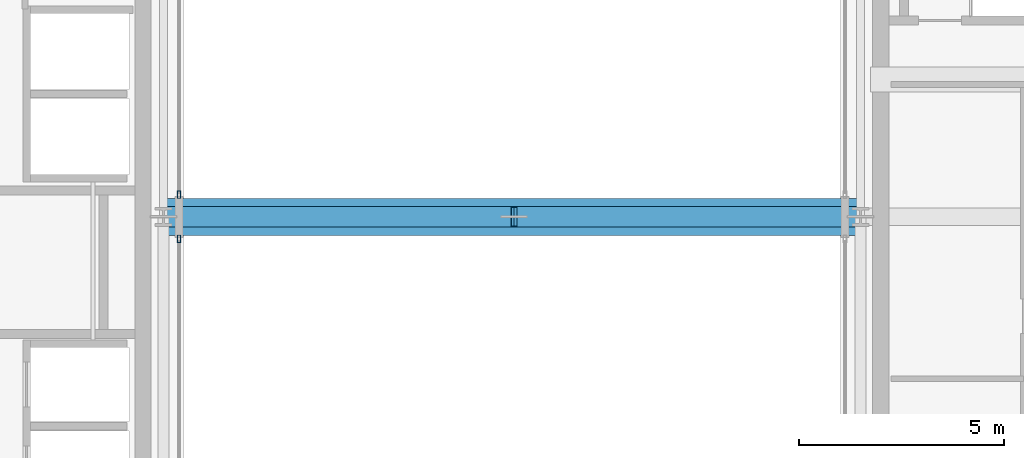
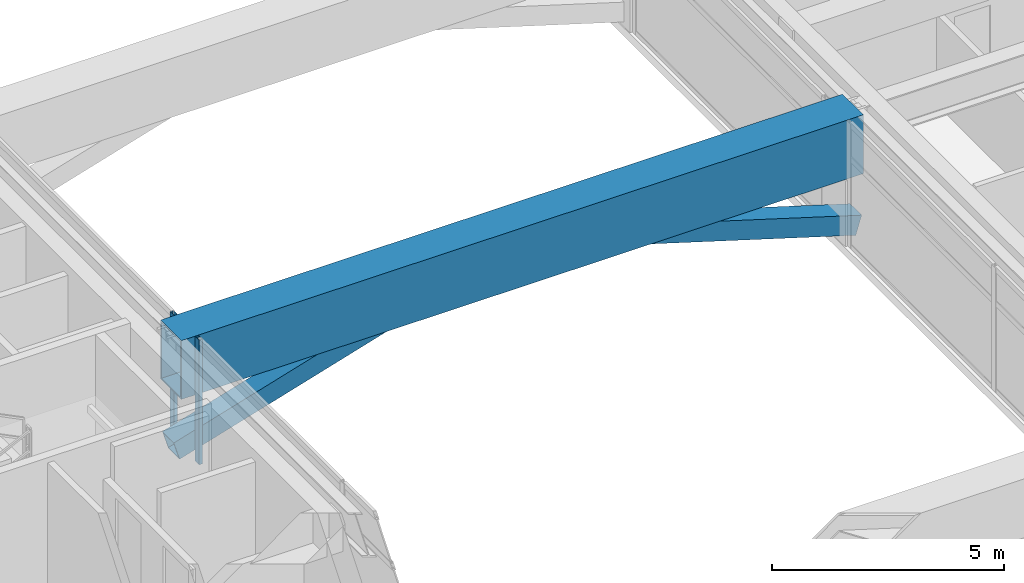
# One storey, part 8 of 28: 4 members, 1 beam, 2 elements without a shape of their own.
"""IFC4 building model written with IfcOpenShell, lengths in metres."""

import ifcopenshell
import ifcopenshell.guid

model = None  # the IFC model being written
_history = None  # IfcOwnerHistory: only IFC2X3 demands one
_inside = {}  # id of a spatial element -> (the spatial element, [elements in it])
_under = {}  # id of a project, library or spatial element -> (it, [spatial elements below it])
_declared = {}  # id of a project -> (the project, [libraries it declares])
_typed = {}  # id of a type object -> (the type object, [elements of that type])
_made_of = {}  # id of a material, layer set ... -> (it, [elements and type objects made of it])


def new_model(schema):
    """Start an empty IFC model of exactly this schema.

    Asked for "IFC4X3", IfcOpenShell would pick the latest addendum, in which some entities
    have other attributes; the version numbers below select the first issue.
    IFC2X3 requires an IfcOwnerHistory on every rooted entity: one is made here for all.
    """
    global model, _history
    if schema == "IFC4X3":
        model = ifcopenshell.file(schema_version=(4, 3, 0, 0))
    else:
        model = ifcopenshell.file(schema=schema)
    _inside.clear()
    _under.clear()
    _declared.clear()
    _typed.clear()
    _made_of.clear()
    _history = None
    if model.schema == "IFC2X3":
        org = make("IfcOrganization", Name="unknown")
        user = make(
            "IfcPersonAndOrganization",
            ThePerson=make("IfcPerson", FamilyName="unknown"),
            TheOrganization=org,
        )
        app = make(
            "IfcApplication",
            ApplicationDeveloper=org,
            Version="unknown",
            ApplicationFullName="unknown",
            ApplicationIdentifier="unknown",
        )
        _history = make(
            "IfcOwnerHistory",
            OwningUser=user,
            OwningApplication=app,
            ChangeAction="ADDED",
            CreationDate=0,
        )
    return model


def make(cls, **values):
    """One entity of the class cls with the attributes given. An attribute that is None is left unset."""
    return model.create_entity(
        cls, **{name: value for name, value in values.items() if value is not None}
    )


def rooted(cls, **values):
    """An entity with a GlobalId (a new one), such as an element, a storey or a relation."""
    return make(cls, GlobalId=ifcopenshell.guid.new(), OwnerHistory=_history, **values)


def si_unit(unit_type, name, prefix=None):
    """IfcSIUnit, for example si_unit("LENGTHUNIT", "METRE", prefix="MILLI")."""
    return make("IfcSIUnit", UnitType=unit_type, Prefix=prefix, Name=name)


def assignment(units):
    """IfcUnitAssignment: the units of a project."""
    return None if units is None else make("IfcUnitAssignment", Units=units)


def point(xyz):
    """IfcCartesianPoint."""
    return None if xyz is None else make("IfcCartesianPoint", Coordinates=xyz)


def direction(xyz):
    """IfcDirection."""
    return None if xyz is None else make("IfcDirection", DirectionRatios=xyz)


def frame(location, z_axis=None, x_axis=None):
    """IfcAxis2Placement3D, a coordinate frame: its origin and axes. An axis left out is left unset."""
    return make(
        "IfcAxis2Placement3D",
        Location=point(location),
        Axis=direction(z_axis),
        RefDirection=direction(x_axis),
    )


def frame_2d(location, x_axis=None):
    """IfcAxis2Placement2D, a coordinate frame in the plane: its origin and x axis."""
    return make(
        "IfcAxis2Placement2D", Location=point(location), RefDirection=direction(x_axis)
    )


def origin():
    """The frame at (0, 0, 0) with its axes left unset."""
    return frame((0.0, 0.0, 0.0))


def origin_2d():
    """The frame at (0, 0) in the plane with its x axis left unset."""
    return frame_2d((0.0, 0.0))


def place(relative_to, where):
    """IfcLocalPlacement: puts the frame where relative to a parent placement (None: the world)."""
    return make(
        "IfcLocalPlacement", PlacementRelTo=relative_to, RelativePlacement=where
    )


def context(
    kind, dimensions, precision=None, world=None, true_north=None, identifier=None
):
    """IfcGeometricRepresentationContext, for example the 3D "Model" context."""
    return make(
        "IfcGeometricRepresentationContext",
        ContextIdentifier=identifier,
        ContextType=kind,
        CoordinateSpaceDimension=dimensions,
        Precision=precision,
        WorldCoordinateSystem=world,
        TrueNorth=true_north,
    )


def subcontext(parent, identifier, kind, view, scale=None):
    """IfcGeometricRepresentationSubContext, for example "Body" below "Model"."""
    return make(
        "IfcGeometricRepresentationSubContext",
        ContextIdentifier=identifier,
        ContextType=kind,
        ParentContext=parent,
        TargetScale=scale,
        TargetView=view,
    )


def project(units=None, contexts=None):
    """IfcProject with its units and contexts."""
    return rooted(
        "IfcProject",
        Name="project",
        RepresentationContexts=contexts,
        UnitsInContext=assignment(units),
    )


def spatial(cls, under=None, at=None, **own):
    """A site, building, storey or space (cls), placed at a placement, below another one or the project."""
    s = rooted(cls, ObjectPlacement=at, **own)
    if under is not None:
        _under.setdefault(under.id(), (under, []))[1].append(s)
    return s


def profile(cls, at=None, kind="AREA", **sizes):
    """A parametric profile (cls). Its sizes go by their IFC names, for example OverallWidth=200.0."""
    return make(cls, ProfileType=kind, Position=at, **sizes)


def hollow_rectangle(**sizes):
    """IfcRectangleHollowProfileDef."""
    return profile("IfcRectangleHollowProfileDef", **sizes)


def extrude(swept, where, along, depth):
    """IfcExtrudedAreaSolid: the profile swept, set in the frame where, extruded along a direction by depth."""
    return make(
        "IfcExtrudedAreaSolid",
        SweptArea=swept,
        Position=where,
        ExtrudedDirection=direction(along),
        Depth=depth,
    )


def shape(context_of_items, identifier, shape_type, items):
    """IfcShapeRepresentation: the items that make up one representation, for example the "Body"."""
    return make(
        "IfcShapeRepresentation",
        ContextOfItems=context_of_items,
        RepresentationIdentifier=identifier,
        RepresentationType=shape_type,
        Items=items,
    )


def source(mapping_origin, context_of_items, identifier, shape_type, items):
    """IfcRepresentationMap: a shape defined once, which mapped items show again and again."""
    return make(
        "IfcRepresentationMap",
        MappingOrigin=mapping_origin,
        MappedRepresentation=shape(context_of_items, identifier, shape_type, items),
    )


def transform(
    local_origin,
    x_axis=None,
    y_axis=None,
    z_axis=None,
    scale=None,
    scale2=None,
    scale3=None,
    uniform=True,
):
    """IfcCartesianTransformationOperator3D, or its non-uniform kind. x_axis, y_axis, z_axis: its Axis1, 2, 3."""
    if uniform:
        return make(
            "IfcCartesianTransformationOperator3D",
            Axis1=direction(x_axis),
            Axis2=direction(y_axis),
            LocalOrigin=point(local_origin),
            Scale=scale,
            Axis3=direction(z_axis),
        )
    return make(
        "IfcCartesianTransformationOperator3DnonUniform",
        Axis1=direction(x_axis),
        Axis2=direction(y_axis),
        LocalOrigin=point(local_origin),
        Scale=scale,
        Axis3=direction(z_axis),
        Scale2=scale2,
        Scale3=scale3,
    )


def mapped(mapping_source, mapping_target):
    """IfcMappedItem: shows the shape of a source again, moved by a transform."""
    return make(
        "IfcMappedItem", MappingSource=mapping_source, MappingTarget=mapping_target
    )


def material(Name=None, Category=None):
    """IfcMaterial."""
    return make("IfcMaterial", Name=Name, Category=Category)


def layer(
    of_material, thickness, ventilated=None, Name=None, Category=None, Priority=None
):
    """IfcMaterialLayer: one layer of a wall or slab, of a material (None: an air gap)."""
    return make(
        "IfcMaterialLayer",
        Material=of_material,
        LayerThickness=thickness,
        IsVentilated=ventilated,
        Name=Name,
        Category=Category,
        Priority=Priority,
    )


def layer_set(layers, Name=None):
    """IfcMaterialLayerSet."""
    return make("IfcMaterialLayerSet", MaterialLayers=layers, LayerSetName=Name)


def material_profile(
    of_material, cross_section, Name=None, Category=None, Priority=None
):
    """IfcMaterialProfile: a cross section and its material."""
    return make(
        "IfcMaterialProfile",
        Name=Name,
        Material=of_material,
        Profile=cross_section,
        Priority=Priority,
        Category=Category,
    )


def profile_set(profiles, Name=None, composite=None):
    """IfcMaterialProfileSet."""
    return make(
        "IfcMaterialProfileSet",
        Name=Name,
        MaterialProfiles=profiles,
        CompositeProfile=composite,
    )


def made_of(thing, what):
    """Note that an element or type object is made of a material, layer set ...; save() writes the relation."""
    if what is not None:
        _made_of.setdefault(what.id(), (what, []))[1].append(thing)
    return thing


def type_object(cls, material=None, **own):
    """A type object (cls), such as IfcWallType, which elements share."""
    return made_of(rooted(cls, **own), material)


def element(
    cls,
    number,
    at=None,
    inside=None,
    cuts=None,
    type_object=None,
    material=None,
    context=None,
    identifier="Body",
    shape_type=None,
    held_by="IfcProductDefinitionShape",
    body=None,
    shapes=None,
    **own,
):
    """One element of the class cls, such as IfcWall. Its Tag is "e" and its number.

    at: its placement. inside: the storey or other place that contains it. cuts: it is an
    opening in that element (IfcRelVoidsElement). A single representation is given by context,
    identifier, shape_type and body (its items); several are given by shapes. held_by: the class
    of the entity that holds the representations. save() writes the other relations.
    """
    e = rooted(cls, Tag="e%d" % number, ObjectPlacement=at, **own)
    if body is not None:
        shapes = [shape(context, identifier, shape_type, body)]
    if shapes is not None:
        e.Representation = make(held_by, Representations=shapes)
    if inside is not None:
        _inside.setdefault(inside.id(), (inside, []))[1].append(e)
    if cuts is not None:
        rooted(
            "IfcRelVoidsElement", RelatingBuildingElement=cuts, RelatedOpeningElement=e
        )
    if type_object is not None:
        _typed.setdefault(type_object.id(), (type_object, []))[1].append(e)
    return made_of(e, material)


def aggregate(whole, parts):
    """IfcRelAggregates: a whole, such as a stair, and the parts it consists of."""
    return rooted("IfcRelAggregates", RelatingObject=whole, RelatedObjects=parts)


def save(model, path):
    """Write the relations noted so far, then the file.

    IfcRelAggregates (storeys below a building ...), IfcRelContainedInSpatialStructure (elements
    in a storey), IfcRelDefinesByType, IfcRelAssociatesMaterial and IfcRelDeclares: one each for
    every whole, place, type object, material and project.
    """
    for whole, parts in _under.values():
        aggregate(whole, parts)
    for where, things in _inside.values():
        rooted(
            "IfcRelContainedInSpatialStructure",
            RelatedElements=things,
            RelatingStructure=where,
        )
    for kind, things in _typed.values():
        rooted("IfcRelDefinesByType", RelatedObjects=things, RelatingType=kind)
    for what, things in _made_of.values():
        rooted("IfcRelAssociatesMaterial", RelatedObjects=things, RelatingMaterial=what)
    for by, libraries in _declared.values():
        rooted("IfcRelDeclares", RelatingContext=by, RelatedDefinitions=libraries)
    model.write(path)


model = new_model("IFC4")

# Units and contexts
model_context = context("Model", 3, precision=1e-05, world=origin(), true_north=direction((0.0, 1.0)))
body_context = subcontext(model_context, "Body", "Model", "MODEL_VIEW")
ifc_project = project(units=[si_unit("LENGTHUNIT", "METRE"), si_unit("AREAUNIT", "SQUARE_METRE"), si_unit("VOLUMEUNIT", "CUBIC_METRE"), si_unit("PLANEANGLEUNIT", "RADIAN"), si_unit("MASSUNIT", "GRAM", prefix="KILO")], contexts=[model_context])

# Site, building, storey
site_placement = place(None, origin())
site = spatial("IfcSite", under=ifc_project, at=site_placement, CompositionType="ELEMENT")
building_placement = place(site_placement, origin())
building = spatial("IfcBuilding", under=site, at=building_placement, Name="Ocotamira Hotel", CompositionType="ELEMENT")
storey_placement = place(building_placement, frame((0.0, 0.0, 268.800048828125)))
storey = spatial("IfcBuildingStorey", under=building, at=storey_placement, Name="L68", CompositionType="ELEMENT", Elevation=268.800048828125)

# Beam
ifc_material_1 = material(Name="Steel ASTM A913 Grade 65", Category="steel")
ifc_material_profile_1 = material_profile(ifc_material_1, hollow_rectangle(XDim=0.89990234375, YDim=1.550048828125, WallThickness=0.0400390625, at=origin_2d()), Name="BOX900X1550X40")
ifc_profile_set_1 = profile_set([ifc_material_profile_1], Name="Steel ASTM A913 Grade 65")
beam_type = type_object("IfcBeamType", Name="BM-XFER-BOX1550", PredefinedType="BEAM", material=ifc_profile_set_1)
shared_shape_1 = source(origin(), body_context, "Body", "SweptSolid", [
    extrude(hollow_rectangle(XDim=0.89990234375, YDim=1.550048828125, WallThickness=0.0400390625, at=origin_2d()), origin(), (0.0, 0.0, 1.0), 17.0),
])
beam_placement = place(storey_placement, frame((23.5, 28.14990234375, 2.5048828125), z_axis=(1.0, 0.0, 0.0), x_axis=(0.0, 1.0, 0.0)))
element("IfcBeam", 1, at=beam_placement, inside=storey, type_object=beam_type, Name="L68 Girder Y28.15 X23.5-40.5", PredefinedType="BEAM", context=body_context, shape_type="MappedRepresentation", body=[
    mapped(shared_shape_1, transform((0.0, 0.0, 0.0), scale=1.0)),
])

# Members
ifc_material_profile_2 = material_profile(ifc_material_1, hollow_rectangle(XDim=0.5, YDim=0.5, WallThickness=0.02001953125, at=origin_2d()), Name="HSS500X500X20")
ifc_profile_set_2 = profile_set([ifc_material_profile_2], Name="Steel ASTM A913 Grade 65")
member_type_1 = type_object("IfcMemberType", Name="MEM-OUT-HSS500", PredefinedType="BRACE", material=ifc_profile_set_2)
shared_shape_2 = source(origin(), body_context, "Body", "SweptSolid", [
    extrude(hollow_rectangle(XDim=0.5, YDim=0.5, WallThickness=0.02001953125, at=origin_2d()), origin(), (0.0, 0.0, 1.0), 8.9306640625),
])
member_1_placement = place(storey_placement, frame((23.5, 28.14990234375, 0.25), z_axis=(0.957368372311, 0.0, 0.288869866372), x_axis=(0.0, 1.0, 0.0)))
element("IfcMember", 2, at=member_1_placement, inside=storey, type_object=member_type_1, Name="L68 Peak Transfer Truss Web 1 Y28", PredefinedType="BRACE", context=body_context, shape_type="MappedRepresentation", body=[
    mapped(shared_shape_2, transform((0.0, 0.0, 0.0), scale=1.0)),
])
shared_shape_3 = source(origin(), body_context, "Body", "SweptSolid", [
    extrude(hollow_rectangle(XDim=0.5, YDim=0.5, WallThickness=0.02001953125, at=origin_2d()), origin(), (0.0, 0.0, 1.0), 8.8349609375),
])
member_2_placement = place(storey_placement, frame((40.5, 28.14990234375, 0.25), z_axis=(-0.956417831382, 0.0, 0.292001595568), x_axis=(0.0, -1.0, 0.0)))
element("IfcMember", 3, at=member_2_placement, inside=storey, type_object=member_type_1, Name="L68 Peak Transfer Truss Web 2 Y28", PredefinedType="BRACE", context=body_context, shape_type="MappedRepresentation", body=[
    mapped(shared_shape_3, transform((0.0, 0.0, 0.0), scale=1.0)),
])

# Curtain wall, member
ifc_material_2 = material(Name="Anodised pale-metal aluminium and solar glass", Category="aluminium")
ifc_layer = layer(ifc_material_2, 0.2099609375)
ifc_layer_set = layer_set([ifc_layer], Name="Anodised pale-metal aluminium and solar glass")
curtain_wall_type = type_object("IfcCurtainWallType", Name="CW-SYS7-PEAK", PredefinedType="NOTDEFINED", material=ifc_layer_set)
curtain_wall_1_placement = place(storey_placement, origin())
curtain_wall_1 = element("IfcCurtainWall", 4, at=curtain_wall_1_placement, inside=storey, type_object=curtain_wall_type, Name="L68 Curtain Wall CW-7 CW-L68-WI2", PredefinedType="NOTDEFINED")
ifc_material_3 = material(Name="Anodised pale-metal aluminium 6063-T6", Category="aluminium")
ifc_material_profile_3 = material_profile(ifc_material_3, hollow_rectangle(XDim=0.080078125, YDim=0.179931640625, WallThickness=0.006103515625, at=origin_2d()), Name="HSS180X80X6")
ifc_profile_set_3 = profile_set([ifc_material_profile_3], Name="Anodised pale-metal aluminium 6063-T6")
member_type_2 = type_object("IfcMemberType", Name="CWM-180X75", PredefinedType="MULLION", material=ifc_profile_set_3)
shared_shape_4 = source(origin(), body_context, "Body", "SweptSolid", [
    extrude(hollow_rectangle(XDim=0.080078125, YDim=0.179931640625, WallThickness=0.006103515625, at=origin_2d()), origin(), (0.0, 0.0, 1.0), 3.280029296875),
])
member_3_placement = place(storey_placement, frame((23.8798828125, 27.610107421875, 0.0), z_axis=(0.0, 0.0, 1.0), x_axis=(-1.0, 0.0, 0.0)))
member_3 = element("IfcMember", 5, at=member_3_placement, type_object=member_type_2, Name="CW-7 mullion 3", PredefinedType="MULLION", context=body_context, shape_type="MappedRepresentation", body=[
    mapped(shared_shape_4, transform((0.0, 0.0, 0.0), scale=1.0)),
])
aggregate(curtain_wall_1, [member_3])

curtain_wall_2_placement = place(storey_placement, origin())
curtain_wall_2 = element("IfcCurtainWall", 6, at=curtain_wall_2_placement, inside=storey, type_object=curtain_wall_type, Name="L68 Curtain Wall CW-7 CW-L68-WI3", PredefinedType="NOTDEFINED")
member_4_placement = place(storey_placement, frame((23.8798828125, 28.68994140625, 0.0), z_axis=(0.0, 0.0, 1.0), x_axis=(-1.0, 0.0, 0.0)))
member_4 = element("IfcMember", 7, at=member_4_placement, type_object=member_type_2, Name="CW-7 mullion 1", PredefinedType="MULLION", context=body_context, shape_type="MappedRepresentation", body=[
    mapped(shared_shape_4, transform((0.0, 0.0, 0.0), scale=1.0)),
])
aggregate(curtain_wall_2, [member_4])

save(model, "model.ifc")
